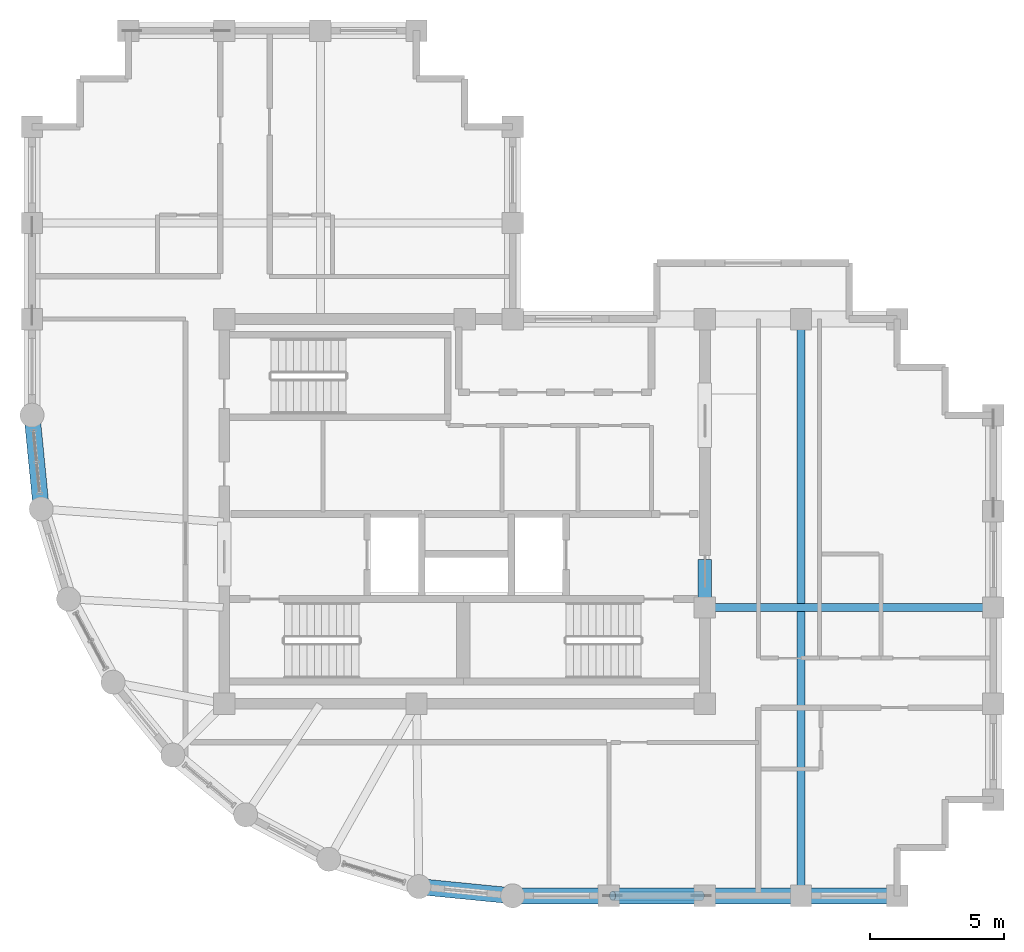
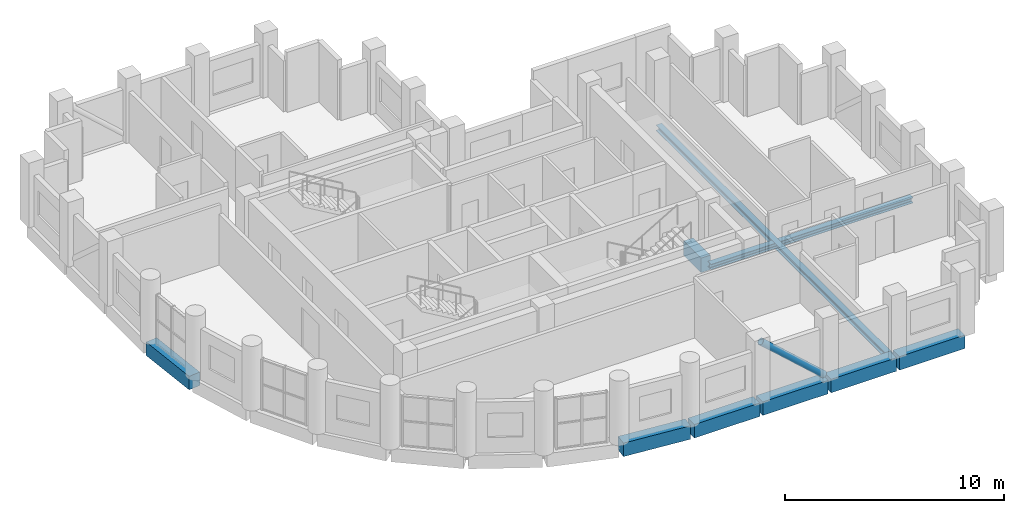
# One storey, part 4 of 11: 9 beams, 1 member.
"""IFC4 building model written with IfcOpenShell, lengths in metres."""

from ifc_helpers import new_model, si_unit, direction, frame, origin, origin_2d, place, context, subcontext, project, spatial, rectangle, hollow_circle, i_section, extrude, material, material_profile, profile_set, type_object, element, save


model = new_model("IFC4")

# Units and contexts
model_context = context("Model", 3, precision=1e-05, world=origin(), true_north=direction((0.0, 1.0)))
body_context = subcontext(model_context, "Body", "Model", "MODEL_VIEW")
ifc_project = project(units=[si_unit("LENGTHUNIT", "METRE"), si_unit("AREAUNIT", "SQUARE_METRE"), si_unit("VOLUMEUNIT", "CUBIC_METRE"), si_unit("PLANEANGLEUNIT", "RADIAN"), si_unit("MASSUNIT", "GRAM", prefix="KILO")], contexts=[model_context])

# Site, building, storey
site_placement = place(None, origin())
site = spatial("IfcSite", under=ifc_project, at=site_placement, CompositionType="ELEMENT")
building_placement = place(site_placement, origin())
building = spatial("IfcBuilding", under=site, at=building_placement, Name="Solnavia Interchange Tower", CompositionType="ELEMENT")
storey_placement = place(building_placement, frame((0.0, 0.0, 284.60009765625)))
storey = spatial("IfcBuildingStorey", under=building, at=storey_placement, Name="L72", CompositionType="ELEMENT", Elevation=284.60009765625)

# Beams
ifc_material_1 = material(Name="Concrete C50/60", Category="concrete")
ifc_material_profile_1 = material_profile(ifc_material_1, rectangle(XDim=0.5, YDim=0.800048828125, at=origin_2d()), Name="RC 500x800")
ifc_profile_set_1 = profile_set([ifc_material_profile_1], Name="Concrete C50/60")
beam_type_1 = type_object("IfcBeamType", Name="Beam-Coupling-RC500x800", PredefinedType="LINTEL", material=ifc_profile_set_1)
beam_1_placement = place(storey_placement, frame((32.39990234375, 14.60009765625, -0.400146484375), z_axis=(0.0, 1.0, 0.0), x_axis=(-1.0, 0.0, 0.0)))
element("IfcBeam", 1, at=beam_1_placement, inside=storey, type_object=beam_type_1, Name="CPB-L72-E1 Core coupling lintel beam", PredefinedType="LINTEL", context=body_context, shape_type="SweptSolid", body=[
    extrude(rectangle(XDim=0.5, YDim=0.800048828125, at=origin_2d()), origin(), (0.0, 0.0, 1.0), 1.599853515625),
])
ifc_material_2 = material(Name="Steel S460", Category="steel")
ifc_material_profile_2 = material_profile(ifc_material_2, i_section(OverallWidth=0.300048828125, OverallDepth=0.300048828125, WebThickness=0.010986328125, FlangeThickness=0.01904296875, FilletRadius=0.027099609375, at=origin_2d()), Name="HEB 300")
ifc_profile_set_2 = profile_set([ifc_material_profile_2], Name="Steel S460")
beam_type_2 = type_object("IfcBeamType", Name="Beam-Girder-HEB300", PredefinedType="BEAM", material=ifc_profile_set_2)
beam_2_placement = place(storey_placement, frame((32.47998046875, 14.39990234375, -0.400146484375), z_axis=(1.0, 0.0, 0.0), x_axis=(0.0, 1.0, 0.0)))
element("IfcBeam", 2, at=beam_2_placement, inside=storey, type_object=beam_type_2, Name="GRD-L72-ES01 East wing spine girder", PredefinedType="BEAM", context=body_context, shape_type="SweptSolid", body=[
    extrude(i_section(OverallWidth=0.300048828125, OverallDepth=0.300048828125, WebThickness=0.010986328125, FlangeThickness=0.01904296875, FilletRadius=0.027099609375, at=origin_2d()), origin(), (0.0, 0.0, 1.0), 10.64013671875),
])
ifc_material_3 = material(Name="Steel S355", Category="steel")
ifc_material_profile_3 = material_profile(ifc_material_3, i_section(OverallWidth=0.300048828125, OverallDepth=0.31005859375, WebThickness=0.009033203125, FlangeThickness=0.015380859375, FilletRadius=0.027099609375, at=origin_2d()), Name="HEA 320")
ifc_profile_set_3 = profile_set([ifc_material_profile_3], Name="Steel S355")
beam_type_3 = type_object("IfcBeamType", Name="Beam-Primary-HEA320", PredefinedType="BEAM", material=ifc_profile_set_3)
beam_3_placement = place(storey_placement, frame((36.0, 3.679931640625, -0.405029296875), z_axis=(0.0, 1.0, 0.0), x_axis=(-1.0, 0.0, 0.0)))
element("IfcBeam", 3, at=beam_3_placement, inside=storey, type_object=beam_type_3, Name="GRD-L72-EW02 East wing primary floor girder", PredefinedType="BEAM", context=body_context, shape_type="SweptSolid", body=[
    extrude(i_section(OverallWidth=0.300048828125, OverallDepth=0.31005859375, WebThickness=0.009033203125, FlangeThickness=0.015380859375, FilletRadius=0.027099609375, at=origin_2d()), origin(), (0.0, 0.0, 1.0), 21.440185546875),
])
ifc_material_profile_4 = material_profile(ifc_material_1, rectangle(XDim=0.60009765625, YDim=0.75, at=origin_2d()), Name="RC 600x750")
ifc_profile_set_4 = profile_set([ifc_material_profile_4], Name="Concrete C50/60")
beam_type_4 = type_object("IfcBeamType", Name="Beam-Spandrel-RC600x750", PredefinedType="SPANDREL", material=ifc_profile_set_4)
beam_4_placement = place(storey_placement, frame((7.207763671875, 21.5205078125, -0.375), z_axis=(0.098040038117, -0.995182471171, 0.0), x_axis=(0.995182471171, 0.098040038117, 0.0)))
element("IfcBeam", 4, at=beam_4_placement, inside=storey, type_object=beam_type_4, Name="SPB-L72-01 Framed-tube perimeter spandrel beam", PredefinedType="SPANDREL", context=body_context, shape_type="SweptSolid", body=[
    extrude(rectangle(XDim=0.60009765625, YDim=0.75, at=origin_2d()), origin(), (0.0, 0.0, 1.0), 3.369140625),
])
beam_5_placement = place(storey_placement, frame((21.767578125, 3.938232421875, -0.375), z_axis=(0.995181774609, -0.098047108501, 0.0), x_axis=(0.098047108501, 0.995181774609, 0.0)))
element("IfcBeam", 5, at=beam_5_placement, inside=storey, type_object=beam_type_4, Name="SPB-L72-08 Framed-tube perimeter spandrel beam", PredefinedType="SPANDREL", context=body_context, shape_type="SweptSolid", body=[
    extrude(rectangle(XDim=0.60009765625, YDim=0.75, at=origin_2d()), origin(), (0.0, 0.0, 1.0), 3.368896484375),
])
beam_6_placement = place(storey_placement, frame((25.280029296875, 3.60009765625, -0.375), z_axis=(1.0, 0.0, 0.0), x_axis=(0.0, 1.0, 0.0)))
element("IfcBeam", 6, at=beam_6_placement, inside=storey, type_object=beam_type_4, Name="SPB-L72-09 Framed-tube perimeter spandrel beam", PredefinedType="SPANDREL", context=body_context, shape_type="SweptSolid", body=[
    extrude(rectangle(XDim=0.60009765625, YDim=0.75, at=origin_2d()), origin(), (0.0, 0.0, 1.0), 3.43994140625),
])
beam_7_placement = place(storey_placement, frame((28.8798828125, 3.60009765625, -0.375), z_axis=(1.0, 0.0, 0.0), x_axis=(0.0, 1.0, 0.0)))
element("IfcBeam", 7, at=beam_7_placement, inside=storey, type_object=beam_type_4, Name="SPB-L72-10 Framed-tube perimeter spandrel beam", PredefinedType="SPANDREL", context=body_context, shape_type="SweptSolid", body=[
    extrude(rectangle(XDim=0.60009765625, YDim=0.75, at=origin_2d()), origin(), (0.0, 0.0, 1.0), 3.440185546875),
])
for number, where, z_axis, x_axis, name in (
    (8, (32.47998046875, 3.60009765625, -0.375), (1.0, 0.0, 0.0), (0.0, 1.0, 0.0), "SPB-L72-11 Framed-tube perimeter spandrel beam"),
    (9, (36.080078125, 3.60009765625, -0.375), (1.0, 0.0, 0.0), (0.0, 1.0, 0.0), "SPB-L72-12 Framed-tube perimeter spandrel beam"),
):
    element("IfcBeam", number, at=place(storey_placement, frame(where, z_axis=z_axis, x_axis=x_axis)), inside=storey, type_object=beam_type_4, Name=name, PredefinedType="SPANDREL", context=body_context, shape_type="SweptSolid", body=[
        extrude(rectangle(XDim=0.60009765625, YDim=0.75, at=origin_2d()), origin(), (0.0, 0.0, 1.0), 3.43994140625),
    ])

# Member
ifc_material_profile_5 = material_profile(ifc_material_2, hollow_circle(Radius=0.177734375, WallThickness=0.01611328125, at=origin_2d()), Name="CHS 355.6x16")
ifc_profile_set_5 = profile_set([ifc_material_profile_5], Name="Steel S460")
member_type = type_object("IfcMemberType", Name="Brace-Perim-CHS355", PredefinedType="BRACE", material=ifc_profile_set_5)
member_placement = place(storey_placement, frame((32.260009765625, 3.60009765625, 0.179931640625), z_axis=(-0.74307946371, 0.0, 0.669203190827), x_axis=(0.0, -1.0, 0.0)))
element("IfcMember", 10, at=member_placement, inside=storey, type_object=member_type, Name="BRC-L72-01 Perimeter tube diagonal brace", PredefinedType="BRACE", context=body_context, shape_type="SweptSolid", body=[
    extrude(hollow_circle(Radius=0.177734375, WallThickness=0.01611328125, at=origin_2d()), origin(), (0.0, 0.0, 1.0), 4.468017578125),
])

save(model, "model.ifc")
